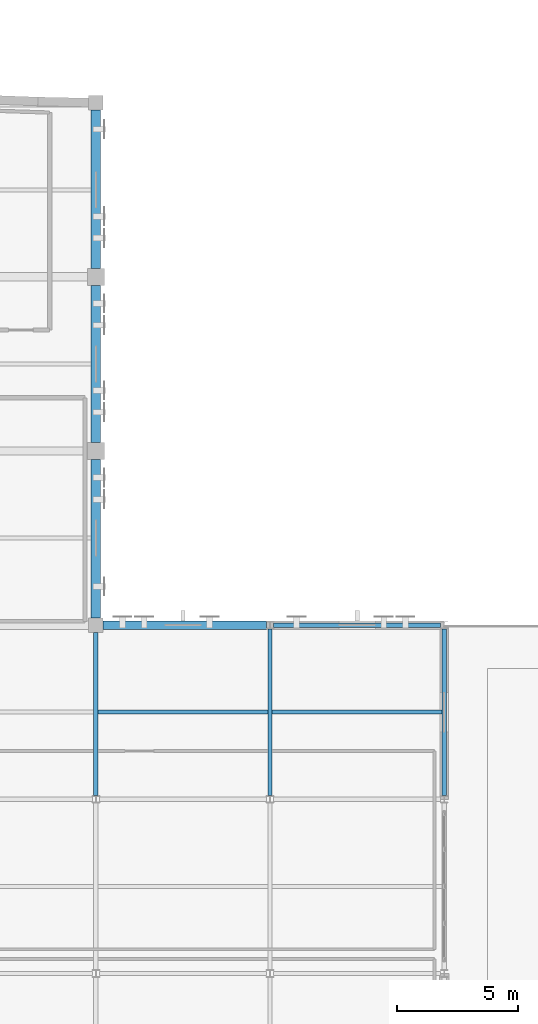
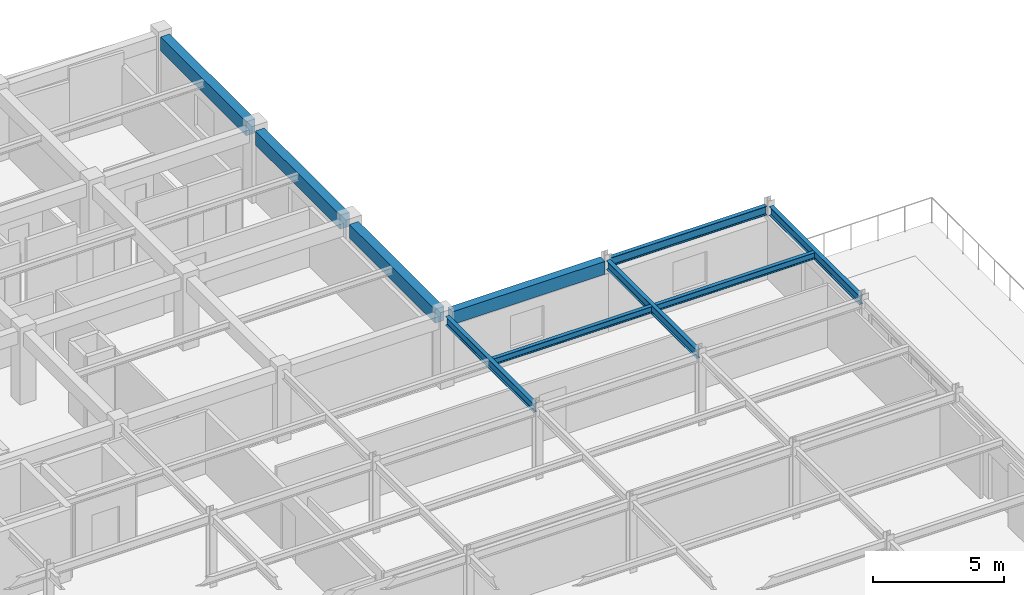
# One storey, part 48 of 73: 10 beams.
"""IFC4 building model written with IfcOpenShell, lengths in metres."""

from ifc_helpers import new_model, si_unit, direction, frame, origin, origin_2d, place, context, subcontext, project, spatial, rectangle, i_section, extrude, material, material_profile, profile_set, type_object, element, save


model = new_model("IFC4")

# Units and contexts
model_context = context("Model", 3, precision=1e-05, world=origin(), true_north=direction((0.0, 1.0)))
body_context = subcontext(model_context, "Body", "Model", "MODEL_VIEW")
ifc_project = project(units=[si_unit("LENGTHUNIT", "METRE"), si_unit("AREAUNIT", "SQUARE_METRE"), si_unit("VOLUMEUNIT", "CUBIC_METRE"), si_unit("PLANEANGLEUNIT", "RADIAN"), si_unit("MASSUNIT", "GRAM", prefix="KILO")], contexts=[model_context])

# Site, building, storey
site_placement = place(None, origin())
site = spatial("IfcSite", under=ifc_project, at=site_placement, CompositionType="ELEMENT")
building_placement = place(site_placement, origin())
building = spatial("IfcBuilding", under=site, at=building_placement, Name="Carrowvane Square Congress Hotel", CompositionType="ELEMENT")
storey_placement = place(building_placement, frame((0.0, 0.0, 19.199951171875)))
storey = spatial("IfcBuildingStorey", under=building, at=storey_placement, Name="L04", CompositionType="ELEMENT", Elevation=19.199951171875)

# Beams
ifc_material_1 = material(Name="Concrete C35/45", Category="concrete")
ifc_material_profile_1 = material_profile(ifc_material_1, rectangle(XDim=0.35009765625, YDim=0.60009765625, at=origin_2d()), Name="RC 350x600")
ifc_profile_set_1 = profile_set([ifc_material_profile_1], Name="Concrete C35/45")
beam_type_1 = type_object("IfcBeamType", Name="BM-RC-350x600", PredefinedType="BEAM", material=ifc_profile_set_1)
beam_1_placement = place(storey_placement, frame((163.10009765625, 91.800048828125, 3.050048828125), z_axis=(1.0, 0.0, 0.0), x_axis=(0.0, 1.0, 0.0)))
element("IfcBeam", 1, at=beam_1_placement, inside=storey, type_object=beam_type_1, Name="L05 girder N/22-23", PredefinedType="BEAM", context=body_context, shape_type="SweptSolid", body=[
    extrude(rectangle(XDim=0.35009765625, YDim=0.60009765625, at=origin_2d()), origin(), (0.0, 0.0, 1.0), 6.75),
])
ifc_material_2 = material(Name="Concrete C35/45", Category="concrete")
ifc_material_profile_2 = material_profile(ifc_material_2, rectangle(XDim=0.39990234375, YDim=0.64990234375, at=origin_2d()), Name="RC 400x650")
ifc_profile_set_2 = profile_set([ifc_material_profile_2], Name="Concrete C35/45")
beam_type_2 = type_object("IfcBeamType", Name="BM-RC-400x650", PredefinedType="BEAM", material=ifc_profile_set_2)
beam_2_placement = place(storey_placement, frame((162.800048828125, 92.10009765625, 3.025146484375), z_axis=(0.0, 1.0, 0.0), x_axis=(-1.0, 0.0, 0.0)))
element("IfcBeam", 2, at=beam_2_placement, inside=storey, type_object=beam_type_2, Name="L05 girder 22/N-P", PredefinedType="BEAM", context=body_context, shape_type="SweptSolid", body=[
    extrude(rectangle(XDim=0.39990234375, YDim=0.64990234375, at=origin_2d()), origin(), (0.0, 0.0, 1.0), 6.5498046875),
])
beam_3_placement = place(storey_placement, frame((162.800048828125, 99.35009765625, 3.025146484375), z_axis=(0.0, 1.0, 0.0), x_axis=(-1.0, 0.0, 0.0)))
element("IfcBeam", 3, at=beam_3_placement, inside=storey, type_object=beam_type_2, Name="L05 girder 22/P-Q", PredefinedType="BEAM", context=body_context, shape_type="SweptSolid", body=[
    extrude(rectangle(XDim=0.39990234375, YDim=0.64990234375, at=origin_2d()), origin(), (0.0, 0.0, 1.0), 6.5),
])
beam_4_placement = place(storey_placement, frame((162.800048828125, 106.550048828125, 3.025146484375), z_axis=(0.0, 1.0, 0.0), x_axis=(-1.0, 0.0, 0.0)))
element("IfcBeam", 4, at=beam_4_placement, inside=storey, type_object=beam_type_2, Name="L05 girder 22/Q-R", PredefinedType="BEAM", context=body_context, shape_type="SweptSolid", body=[
    extrude(rectangle(XDim=0.39990234375, YDim=0.64990234375, at=origin_2d()), origin(), (0.0, 0.0, 1.0), 6.550048828125),
])
ifc_material_3 = material(Name="Steel S355", Category="steel")
ifc_material_profile_3 = material_profile(ifc_material_3, i_section(OverallWidth=0.165771484375, OverallDepth=0.306640625, WebThickness=0.006591796875, FlangeThickness=0.01171875, FilletRadius=0.0087890625, at=origin_2d()), Name="UKB 305x165x46")
ifc_profile_set_3 = profile_set([ifc_material_profile_3], Name="Steel S355")
beam_type_3 = type_object("IfcBeamType", Name="BM-ST-UKB305", PredefinedType="JOIST", material=ifc_profile_set_3)
for number, where, z_axis, x_axis, name in (
    (5, (162.889404296875, 88.199951171875, 3.19677734375), (1.0, 0.0, 0.0), (0.0, 1.0, 0.0), "L05 secondary joist 22-23"),
    (6, (170.08935546875, 88.199951171875, 3.19677734375), (1.0, 0.0, 0.0), (0.0, 1.0, 0.0), "L05 secondary joist 23-24"),
):
    element("IfcBeam", number, at=place(storey_placement, frame(where, z_axis=z_axis, x_axis=x_axis)), inside=storey, type_object=beam_type_3, Name=name, PredefinedType="JOIST", context=body_context, shape_type="SweptSolid", body=[
        extrude(i_section(OverallWidth=0.165771484375, OverallDepth=0.306640625, WebThickness=0.006591796875, FlangeThickness=0.01171875, FilletRadius=0.0087890625, at=origin_2d()), origin(), (0.0, 0.0, 1.0), 7.021240234375),
    ])
ifc_material_4 = material(Name="Steel S355", Category="steel")
ifc_material_profile_4 = material_profile(ifc_material_4, i_section(OverallWidth=0.1787109375, OverallDepth=0.409423828125, WebThickness=0.0087890625, FlangeThickness=0.014404296875, FilletRadius=0.01025390625, at=origin_2d()), Name="UKB 406x178x67")
ifc_profile_set_4 = profile_set([ifc_material_profile_4], Name="Steel S355")
beam_type_4 = type_object("IfcBeamType", Name="BM-ST-UKB406", PredefinedType="BEAM", material=ifc_profile_set_4)
beam_5_placement = place(storey_placement, frame((170.14990234375, 91.800048828125, 3.145263671875), z_axis=(1.0, 0.0, 0.0), x_axis=(0.0, 1.0, 0.0)))
element("IfcBeam", 7, at=beam_5_placement, inside=storey, type_object=beam_type_4, Name="L05 girder N/23-24", PredefinedType="BEAM", context=body_context, shape_type="SweptSolid", body=[
    extrude(i_section(OverallWidth=0.1787109375, OverallDepth=0.409423828125, WebThickness=0.0087890625, FlangeThickness=0.014404296875, FilletRadius=0.01025390625, at=origin_2d()), origin(), (0.0, 0.0, 1.0), 6.900146484375),
])
beam_6_placement = place(storey_placement, frame((162.800048828125, 84.75, 3.145263671875), z_axis=(0.0, 1.0, 0.0), x_axis=(-1.0, 0.0, 0.0)))
element("IfcBeam", 8, at=beam_6_placement, inside=storey, type_object=beam_type_4, Name="L05 girder 22/M-N", PredefinedType="BEAM", context=body_context, shape_type="SweptSolid", body=[
    extrude(i_section(OverallWidth=0.1787109375, OverallDepth=0.409423828125, WebThickness=0.0087890625, FlangeThickness=0.014404296875, FilletRadius=0.01025390625, at=origin_2d()), origin(), (0.0, 0.0, 1.0), 6.75),
])
for number, where, z_axis, x_axis, name in (
    (9, (170.0, 84.75, 3.145263671875), (0.0, 1.0, 0.0), (-1.0, 0.0, 0.0), "L05 girder 23/M-N"),
    (10, (177.199951171875, 84.75, 3.145263671875), (0.0, 1.0, 0.0), (-1.0, 0.0, 0.0), "L05 girder 24/M-N"),
):
    element("IfcBeam", number, at=place(storey_placement, frame(where, z_axis=z_axis, x_axis=x_axis)), inside=storey, type_object=beam_type_4, Name=name, PredefinedType="BEAM", context=body_context, shape_type="SweptSolid", body=[
        extrude(i_section(OverallWidth=0.1787109375, OverallDepth=0.409423828125, WebThickness=0.0087890625, FlangeThickness=0.014404296875, FilletRadius=0.01025390625, at=origin_2d()), origin(), (0.0, 0.0, 1.0), 6.89990234375),
    ])

save(model, "model.ifc")
